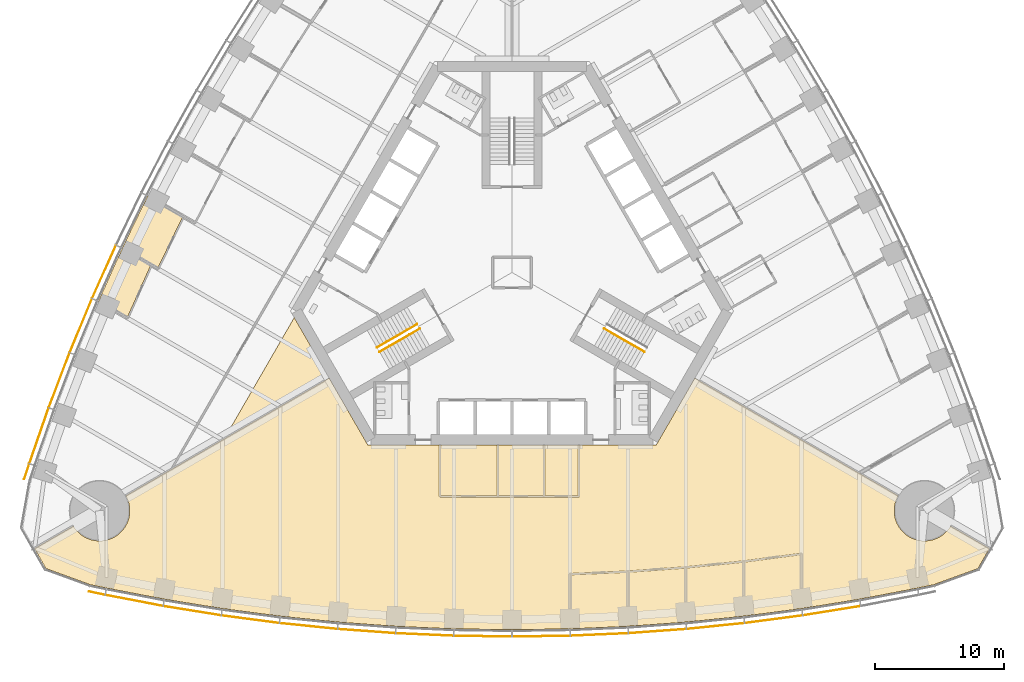
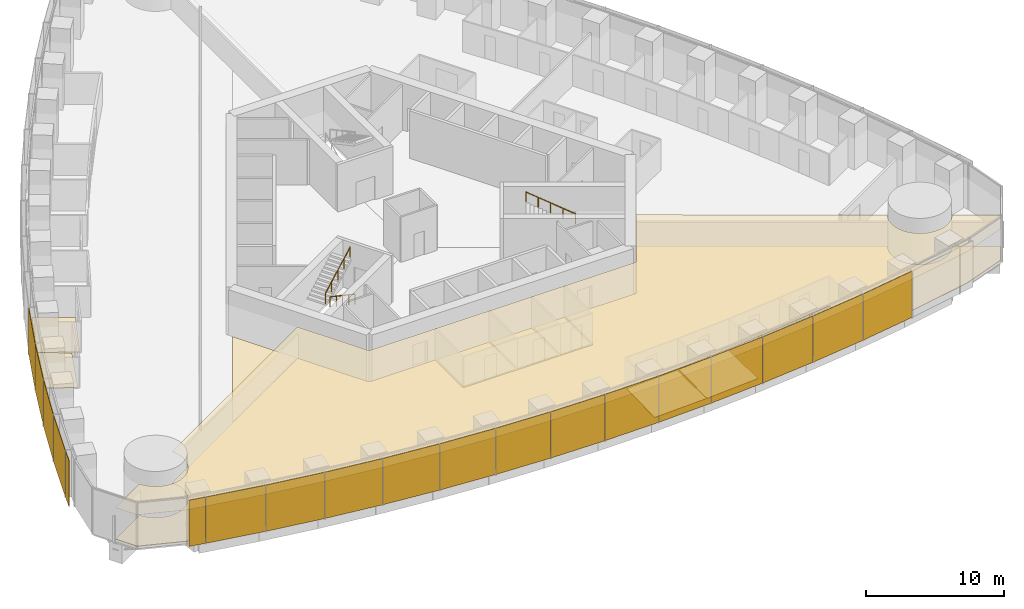
# One storey, part 14 of 18: 19 shading devices, 12 coverings, 3 railings.
"""IFC4 building model written with IfcOpenShell, lengths in metres."""

from ifc_helpers import new_model, si_unit, direction, frame, origin, origin_2d, place, context, subcontext, project, spatial, polyline, rectangle, circle, outline, extrude, material, layer, layer_set, type_object, element, save


model = new_model("IFC4")

# Units and contexts
model_context = context("Model", 3, precision=1e-05, world=origin(), true_north=direction((0.0, 1.0)))
body_context = subcontext(model_context, "Body", "Model", "MODEL_VIEW")
ifc_project = project(units=[si_unit("LENGTHUNIT", "METRE"), si_unit("AREAUNIT", "SQUARE_METRE"), si_unit("VOLUMEUNIT", "CUBIC_METRE"), si_unit("PLANEANGLEUNIT", "RADIAN"), si_unit("MASSUNIT", "GRAM", prefix="KILO")], contexts=[model_context])

# Site, building, storey
site_placement = place(None, origin())
site = spatial("IfcSite", under=ifc_project, at=site_placement, CompositionType="ELEMENT")
building_placement = place(site_placement, origin())
building = spatial("IfcBuilding", under=site, at=building_placement, Name="Trefoil Bronze Tower", CompositionType="ELEMENT")
storey_placement = place(building_placement, frame((0.0, 0.0, 50.10009765625)))
storey = spatial("IfcBuildingStorey", under=building, at=storey_placement, Name="L11", CompositionType="ELEMENT", Elevation=50.10009765625)

# Shading devices
ifc_material_1 = material(Name="Perforated bronze sheet", Category="bronze")
ifc_layer_1 = layer(ifc_material_1, 0.0400390625)
ifc_layer_set_1 = layer_set([ifc_layer_1], Name="Bronze solar screen panel")
shading_device_type = type_object("IfcShadingDeviceType", Name="Bronze solar screen panel", PredefinedType="SHUTTER", material=ifc_layer_set_1)
shading_device_1_placement = place(storey_placement, frame((-32.2431640625, -24.91064453125, 0.0498046875), z_axis=(0.0, 0.0, 1.0), x_axis=(0.978302717041, -0.207180582657, 0.0)))
element("IfcShadingDevice", 1, at=shading_device_1_placement, inside=storey, type_object=shading_device_type, Name="Solar screen CW-A L11 F1 bay 1", PredefinedType="SHUTTER", context=body_context, shape_type="SweptSolid", body=[
    extrude(rectangle(XDim=1.260498046875, YDim=0.0400390625, at=origin_2d()), origin(), (0.0, 0.0, 1.0), 4.10009765625),
])
shading_device_2_placement = place(storey_placement, frame((-29.351806640625, -25.478515625, 0.0498046875), z_axis=(0.0, 0.0, 1.0), x_axis=(0.982049823817, -0.188621694249, 0.0)))
element("IfcShadingDevice", 2, at=shading_device_2_placement, inside=storey, type_object=shading_device_type, Name="Solar screen CW-A L11 F1 bay 2", PredefinedType="SHUTTER", context=body_context, shape_type="SweptSolid", body=[
    extrude(rectangle(XDim=4.55224609375, YDim=0.0400390625, at=origin_2d()), origin(), (0.0, 0.0, 1.0), 4.10009765625),
])
shading_device_3_placement = place(storey_placement, frame((-24.836181640625, -26.277099609375, 0.0498046875), z_axis=(0.0, 0.0, 1.0), x_axis=(0.987181315145, -0.159602791421, 0.0)))
element("IfcShadingDevice", 3, at=shading_device_3_placement, inside=storey, type_object=shading_device_type, Name="Solar screen CW-A L11 F1 bay 3", PredefinedType="SHUTTER", context=body_context, shape_type="SweptSolid", body=[
    extrude(rectangle(XDim=4.5283203125, YDim=0.0400390625, at=origin_2d()), origin(), (0.0, 0.0, 1.0), 4.10009765625),
])
shading_device_4_placement = place(storey_placement, frame((-20.320556640625, -26.939697265625, 0.0498046875), z_axis=(0.0, 0.0, 1.0), x_axis=(0.991437251591, -0.130583981243, 0.0)))
element("IfcShadingDevice", 4, at=shading_device_4_placement, inside=storey, type_object=shading_device_type, Name="Solar screen CW-A L11 F1 bay 4", PredefinedType="SHUTTER", context=body_context, shape_type="SweptSolid", body=[
    extrude(rectangle(XDim=4.5087890625, YDim=0.0400390625, at=origin_2d()), origin(), (0.0, 0.0, 1.0), 4.10009765625),
])
shading_device_5_placement = place(storey_placement, frame((-15.804931640625, -27.467529296875, 0.0498046875), z_axis=(0.0, 0.0, 1.0), x_axis=(0.994828880293, -0.101565244717, 0.0)))
element("IfcShadingDevice", 5, at=shading_device_5_placement, inside=storey, type_object=shading_device_type, Name="Solar screen CW-A L11 F1 bay 5", PredefinedType="SHUTTER", context=body_context, shape_type="SweptSolid", body=[
    extrude(rectangle(XDim=4.493408203125, YDim=0.0400390625, at=origin_2d()), origin(), (0.0, 0.0, 1.0), 4.10009765625),
])
shading_device_6_placement = place(storey_placement, frame((-11.2890625, -27.8623046875, 0.0498046875), z_axis=(0.0, 0.0, 1.0), x_axis=(0.99736502647, -0.072546564177, 0.0)))
element("IfcShadingDevice", 6, at=shading_device_6_placement, inside=storey, type_object=shading_device_type, Name="Solar screen CW-A L11 F1 bay 6", PredefinedType="SHUTTER", context=body_context, shape_type="SweptSolid", body=[
    extrude(rectangle(XDim=4.48193359375, YDim=0.0400390625, at=origin_2d()), origin(), (0.0, 0.0, 1.0), 4.10009765625),
])
shading_device_7_placement = place(storey_placement, frame((-6.7734375, -28.124755859375, 0.0498046875), z_axis=(0.0, 0.0, 1.0), x_axis=(0.999052210809, -0.043527922969, 0.0)))
element("IfcShadingDevice", 7, at=shading_device_7_placement, inside=storey, type_object=shading_device_type, Name="Solar screen CW-A L11 F1 bay 7", PredefinedType="SHUTTER", context=body_context, shape_type="SweptSolid", body=[
    extrude(rectangle(XDim=4.474365234375, YDim=0.0400390625, at=origin_2d()), origin(), (0.0, 0.0, 1.0), 4.10009765625),
])
for number, where, z_axis, x_axis, name in (
    (8, (-2.2578125, -28.256103515625, 0.0498046875), (0.0, 0.0, 1.0), (0.999894734493, -0.014509305083, 0.0), "Solar screen CW-A L11 F1 bay 8"),
    (9, (2.2578125, -28.256103515625, 0.0498046875), (0.0, 0.0, 1.0), (0.999894734493, 0.014509305083, 0.0), "Solar screen CW-A L11 F1 bay 9"),
):
    element("IfcShadingDevice", number, at=place(storey_placement, frame(where, z_axis=z_axis, x_axis=x_axis)), inside=storey, type_object=shading_device_type, Name=name, PredefinedType="SHUTTER", context=body_context, shape_type="SweptSolid", body=[
        extrude(rectangle(XDim=4.470458984375, YDim=0.0400390625, at=origin_2d()), origin(), (0.0, 0.0, 1.0), 4.10009765625),
    ])
shading_device_8_placement = place(storey_placement, frame((6.7734375, -28.124755859375, 0.0498046875), z_axis=(0.0, 0.0, 1.0), x_axis=(0.999052210809, 0.043527922969, 0.0)))
element("IfcShadingDevice", 10, at=shading_device_8_placement, inside=storey, type_object=shading_device_type, Name="Solar screen CW-A L11 F1 bay 10", PredefinedType="SHUTTER", context=body_context, shape_type="SweptSolid", body=[
    extrude(rectangle(XDim=4.474365234375, YDim=0.0400390625, at=origin_2d()), origin(), (0.0, 0.0, 1.0), 4.10009765625),
])
shading_device_9_placement = place(storey_placement, frame((11.2890625, -27.8623046875, 0.0498046875), z_axis=(0.0, 0.0, 1.0), x_axis=(0.99736502647, 0.072546564177, 0.0)))
element("IfcShadingDevice", 11, at=shading_device_9_placement, inside=storey, type_object=shading_device_type, Name="Solar screen CW-A L11 F1 bay 11", PredefinedType="SHUTTER", context=body_context, shape_type="SweptSolid", body=[
    extrude(rectangle(XDim=4.48193359375, YDim=0.0400390625, at=origin_2d()), origin(), (0.0, 0.0, 1.0), 4.10009765625),
])
shading_device_10_placement = place(storey_placement, frame((15.804931640625, -27.467529296875, 0.0498046875), z_axis=(0.0, 0.0, 1.0), x_axis=(0.994828880293, 0.101565244717, 0.0)))
element("IfcShadingDevice", 12, at=shading_device_10_placement, inside=storey, type_object=shading_device_type, Name="Solar screen CW-A L11 F1 bay 12", PredefinedType="SHUTTER", context=body_context, shape_type="SweptSolid", body=[
    extrude(rectangle(XDim=4.493408203125, YDim=0.0400390625, at=origin_2d()), origin(), (0.0, 0.0, 1.0), 4.10009765625),
])
shading_device_11_placement = place(storey_placement, frame((20.320556640625, -26.939697265625, 0.0498046875), z_axis=(0.0, 0.0, 1.0), x_axis=(0.991437251591, 0.130583981243, 0.0)))
element("IfcShadingDevice", 13, at=shading_device_11_placement, inside=storey, type_object=shading_device_type, Name="Solar screen CW-A L11 F1 bay 13", PredefinedType="SHUTTER", context=body_context, shape_type="SweptSolid", body=[
    extrude(rectangle(XDim=4.5087890625, YDim=0.0400390625, at=origin_2d()), origin(), (0.0, 0.0, 1.0), 4.10009765625),
])
shading_device_12_placement = place(storey_placement, frame((24.836181640625, -26.277099609375, 0.0498046875), z_axis=(0.0, 0.0, 1.0), x_axis=(0.987181315145, 0.159602791421, 0.0)))
element("IfcShadingDevice", 14, at=shading_device_12_placement, inside=storey, type_object=shading_device_type, Name="Solar screen CW-A L11 F1 bay 14", PredefinedType="SHUTTER", context=body_context, shape_type="SweptSolid", body=[
    extrude(rectangle(XDim=4.5283203125, YDim=0.0400390625, at=origin_2d()), origin(), (0.0, 0.0, 1.0), 4.10009765625),
])
shading_device_13_placement = place(storey_placement, frame((-31.68994140625, 0.04638671875, 0.0498046875), z_axis=(0.0, 0.0, 1.0), x_axis=(-0.40945635808, -0.912329705111, 0.0)))
element("IfcShadingDevice", 15, at=shading_device_13_placement, inside=storey, type_object=shading_device_type, Name="Solar screen CW-A L11 F3 bay 12", PredefinedType="SHUTTER", context=body_context, shape_type="SweptSolid", body=[
    extrude(rectangle(XDim=4.493408203125, YDim=0.0400390625, at=origin_2d()), origin(), (0.0, 0.0, 1.0), 4.10009765625),
])
shading_device_14_placement = place(storey_placement, frame((-33.49072265625, -4.128173828125, 0.0498046875), z_axis=(0.0, 0.0, 1.0), x_axis=(-0.382629580712, -0.923901836758, 0.0)))
element("IfcShadingDevice", 16, at=shading_device_14_placement, inside=storey, type_object=shading_device_type, Name="Solar screen CW-A L11 F3 bay 13", PredefinedType="SHUTTER", context=body_context, shape_type="SweptSolid", body=[
    extrude(rectangle(XDim=4.5087890625, YDim=0.0400390625, at=origin_2d()), origin(), (0.0, 0.0, 1.0), 4.10009765625),
])
shading_device_15_placement = place(storey_placement, frame((-35.1748046875, -8.3701171875, 0.0498046875), z_axis=(0.0, 0.0, 1.0), x_axis=(-0.355370585687, -0.934725492767, 0.0)))
element("IfcShadingDevice", 17, at=shading_device_15_placement, inside=storey, type_object=shading_device_type, Name="Solar screen CW-A L11 F3 bay 14", PredefinedType="SHUTTER", context=body_context, shape_type="SweptSolid", body=[
    extrude(rectangle(XDim=4.5283203125, YDim=0.0400390625, at=origin_2d()), origin(), (0.0, 0.0, 1.0), 4.10009765625),
])
shading_device_16_placement = place(storey_placement, frame((-36.740966796875, -12.68017578125, 0.0498046875), z_axis=(0.0, 0.0, 1.0), x_axis=(-0.327673732984, -0.944790942332, 0.0)))
element("IfcShadingDevice", 18, at=shading_device_16_placement, inside=storey, type_object=shading_device_type, Name="Solar screen CW-A L11 F3 bay 15", PredefinedType="SHUTTER", context=body_context, shape_type="SweptSolid", body=[
    extrude(rectangle(XDim=4.55224609375, YDim=0.0400390625, at=origin_2d()), origin(), (0.0, 0.0, 1.0), 4.10009765625),
])
shading_device_17_placement = place(storey_placement, frame((-37.69482421875, -15.468017578125, 0.0498046875), z_axis=(0.0, 0.0, 1.0), x_axis=(-0.309727710769, -0.950825296877, 0.0)))
element("IfcShadingDevice", 19, at=shading_device_17_placement, inside=storey, type_object=shading_device_type, Name="Solar screen CW-A L11 F3 bay 16", PredefinedType="SHUTTER", context=body_context, shape_type="SweptSolid", body=[
    extrude(rectangle(XDim=1.260498046875, YDim=0.0400390625, at=origin_2d()), origin(), (0.0, 0.0, 1.0), 4.10009765625),
])

# Railings
ifc_material_2 = material(Name="Steel handrail", Category="steel")
railing_type = type_object("IfcRailingType", Name="Handrail 900", PredefinedType="HANDRAIL", material=ifc_material_2)
railing_1_placement = place(storey_placement, frame((10.28369140625, -6.168212890625, 2.261474609375)))
element("IfcRailing", 20, at=railing_1_placement, inside=storey, type_object=railing_type, Name="Handrail ST1 flight 2 L11", PredefinedType="HANDRAIL", context=body_context, shape_type="SweptSolid", body=[
    extrude(circle(Radius=0.02392578125, at=origin_2d()), frame((0.0, 0.0, 0.8759765625), z_axis=(-0.76250339821, 0.440245697338, 0.474101564745), x_axis=(-0.500012057535, -0.866018442252, 0.0)), (0.0, 0.0, 1.0), 4.088623046875),
    extrude(circle(Radius=0.02099609375, at=origin_2d()), origin(), (0.0, 0.0, 1.0), 0.851806640625),
    extrude(circle(Radius=0.02099609375, at=origin_2d()), frame((-0.779296875, 0.449951171875, 0.484619140625)), (0.0, 0.0, 1.0), 0.851806640625),
    extrude(circle(Radius=0.02099609375, at=origin_2d()), frame((-1.558837890625, 0.89990234375, 0.96923828125)), (0.0, 0.0, 1.0), 0.851806640625),
    extrude(circle(Radius=0.02099609375, at=origin_2d()), frame((-2.33837890625, 1.35009765625, 1.453857421875)), (0.0, 0.0, 1.0), 0.851806640625),
    extrude(circle(Radius=0.02099609375, at=origin_2d()), frame((-3.11767578125, 1.800048828125, 1.9384765625)), (0.0, 0.0, 1.0), 0.851806640625),
])
railing_2_placement = place(storey_placement, frame((-7.166015625, -4.3681640625, 0.161376953125)))
element("IfcRailing", 21, at=railing_2_placement, inside=storey, type_object=railing_type, Name="Handrail ST3 flight 1 L11", PredefinedType="HANDRAIL", context=body_context, shape_type="SweptSolid", body=[
    extrude(circle(Radius=0.02392578125, at=origin_2d()), frame((0.0, 0.0, 0.8759765625), z_axis=(-0.76250339821, -0.440245697338, 0.474101564745), x_axis=(0.500012057535, -0.866018442252, 0.0)), (0.0, 0.0, 1.0), 4.088623046875),
    extrude(circle(Radius=0.02099609375, at=origin_2d()), origin(), (0.0, 0.0, 1.0), 0.851806640625),
    extrude(circle(Radius=0.02099609375, at=origin_2d()), frame((-0.779296875, -0.449951171875, 0.484619140625)), (0.0, 0.0, 1.0), 0.851806640625),
    extrude(circle(Radius=0.02099609375, at=origin_2d()), frame((-1.558837890625, -0.89990234375, 0.96923828125)), (0.0, 0.0, 1.0), 0.851806640625),
    extrude(circle(Radius=0.02099609375, at=origin_2d()), frame((-2.33837890625, -1.35009765625, 1.453857421875)), (0.0, 0.0, 1.0), 0.851806640625),
    extrude(circle(Radius=0.02099609375, at=origin_2d()), frame((-3.11767578125, -1.800048828125, 1.9384765625)), (0.0, 0.0, 1.0), 0.851806640625),
])
railing_3_placement = place(storey_placement, frame((-10.483642578125, -5.82177734375, 2.261474609375)))
element("IfcRailing", 22, at=railing_3_placement, inside=storey, type_object=railing_type, Name="Handrail ST3 flight 2 L11", PredefinedType="HANDRAIL", context=body_context, shape_type="SweptSolid", body=[
    extrude(circle(Radius=0.02392578125, at=origin_2d()), frame((0.0, 0.0, 0.8759765625), z_axis=(0.76250339821, 0.440245697338, 0.474101564745), x_axis=(-0.500012057535, 0.866018442252, 0.0)), (0.0, 0.0, 1.0), 4.088623046875),
    extrude(circle(Radius=0.02099609375, at=origin_2d()), origin(), (0.0, 0.0, 1.0), 0.851806640625),
    extrude(circle(Radius=0.02099609375, at=origin_2d()), frame((0.779296875, 0.449951171875, 0.484619140625)), (0.0, 0.0, 1.0), 0.851806640625),
    extrude(circle(Radius=0.02099609375, at=origin_2d()), frame((1.558837890625, 0.89990234375, 0.96923828125)), (0.0, 0.0, 1.0), 0.851806640625),
    extrude(circle(Radius=0.02099609375, at=origin_2d()), frame((2.33837890625, 1.35009765625, 1.453857421875)), (0.0, 0.0, 1.0), 0.851806640625),
    extrude(circle(Radius=0.02099609375, at=origin_2d()), frame((3.11767578125, 1.800048828125, 1.9384765625)), (0.0, 0.0, 1.0), 0.851806640625),
])

# Coverings
ifc_material_3 = material(Name="Acoustic ceiling panels", Category="mineral fibre")
ifc_layer_2 = layer(ifc_material_3, 0.02001953125)
ifc_layer_set_2 = layer_set([ifc_layer_2], Name="Office ceiling 20")
covering_type_1 = type_object("IfcCoveringType", Name="Office ceiling 20", PredefinedType="CEILING", material=ifc_layer_set_2)
covering_1_placement = place(storey_placement, frame((0.0, 0.0, 2.89990234375)))
element("IfcCovering", 23, at=covering_1_placement, inside=storey, type_object=covering_type_1, Name="Ceiling L11 Open-plan office F1", PredefinedType="CEILING", context=body_context, shape_type="SweptSolid", body=[
    extrude(outline(polyline([(-33.996826171875, -19.8056640625), (-33.930419921875, -19.89990234375), (-33.859619140625, -19.99072265625), (-33.7841796875, -20.078125), (-33.70458984375, -20.16162109375), (-33.62109375, -20.2412109375), (-33.53369140625, -20.316650390625), (-33.44287109375, -20.387451171875), (-33.348388671875, -20.4541015625), (-33.251220703125, -20.515625), (-33.150634765625, -20.572509765625), (-33.047607421875, -20.62451171875), (-32.942138671875, -20.671142578125), (-32.834716796875, -20.712646484375), (-32.72509765625, -20.748779296875), (-32.614013671875, -20.779541015625), (-32.50146484375, -20.8046875), (-32.3876953125, -20.82470703125), (-32.273193359375, -20.838623046875), (-32.158203125, -20.84716796875), (-32.04296875, -20.85009765625), (-31.927490234375, -20.84716796875), (-31.8125, -20.838623046875), (-31.697998046875, -20.82470703125), (-31.58447265625, -20.8046875), (-31.471923828125, -20.779541015625), (-31.36083984375, -20.748779296875), (-31.251220703125, -20.712646484375), (-31.1435546875, -20.671142578125), (-31.0380859375, -20.62451171875), (-30.935302734375, -20.572509765625), (-30.834716796875, -20.515625), (-30.7373046875, -20.4541015625), (-30.64306640625, -20.387451171875), (-30.552001953125, -20.316650390625), (-30.46484375, -20.2412109375), (-30.381103515625, -20.16162109375), (-30.3017578125, -20.078125), (-30.226318359375, -19.99072265625), (-30.155517578125, -19.89990234375), (-30.089111328125, -19.8056640625), (-30.02734375, -19.7080078125), (-29.970458984375, -19.60791015625), (-29.918701171875, -19.5048828125), (-29.871826171875, -19.3994140625), (-29.830322265625, -19.291748046875), (-29.794189453125, -19.18212890625), (-29.763427734375, -19.071044921875), (-29.738037109375, -18.95849609375), (-29.718505859375, -18.8447265625), (-29.704345703125, -18.730224609375), (-29.69580078125, -18.615234375), (-29.69287109375, -18.5), (-29.69580078125, -18.384765625), (-29.704345703125, -18.269775390625), (-29.718505859375, -18.1552734375), (-29.738037109375, -18.04150390625), (-29.763427734375, -17.928955078125), (-29.794189453125, -17.81787109375), (-29.830322265625, -17.708251953125), (-29.871826171875, -17.6005859375), (-29.918701171875, -17.4951171875), (-29.970458984375, -17.39208984375), (-30.001953125, -17.336669921875), (-14.19970703125, -8.205322265625), (-11.20068359375, -13.39990234375), (11.20068359375, -13.39990234375), (14.19970703125, -8.205322265625), (30.001953125, -17.336669921875), (29.970458984375, -17.39208984375), (29.918701171875, -17.4951171875), (29.871826171875, -17.6005859375), (29.830322265625, -17.708251953125), (29.794189453125, -17.81787109375), (29.763427734375, -17.928955078125), (29.738037109375, -18.04150390625), (29.718505859375, -18.1552734375), (29.704345703125, -18.269775390625), (29.69580078125, -18.384765625), (29.69287109375, -18.5), (29.69580078125, -18.615234375), (29.704345703125, -18.730224609375), (29.718505859375, -18.8447265625), (29.738037109375, -18.95849609375), (29.763427734375, -19.071044921875), (29.794189453125, -19.18212890625), (29.830322265625, -19.291748046875), (29.871826171875, -19.3994140625), (29.918701171875, -19.5048828125), (29.970458984375, -19.60791015625), (30.02734375, -19.7080078125), (30.089111328125, -19.8056640625), (30.155517578125, -19.89990234375), (30.226318359375, -19.99072265625), (30.3017578125, -20.078125), (30.381103515625, -20.16162109375), (30.46484375, -20.2412109375), (30.552001953125, -20.316650390625), (30.64306640625, -20.387451171875), (30.7373046875, -20.4541015625), (30.834716796875, -20.515625), (30.935302734375, -20.572509765625), (31.0380859375, -20.62451171875), (31.1435546875, -20.671142578125), (31.251220703125, -20.712646484375), (31.36083984375, -20.748779296875), (31.471923828125, -20.779541015625), (31.58447265625, -20.8046875), (31.697998046875, -20.82470703125), (31.8125, -20.838623046875), (31.927490234375, -20.84716796875), (32.04296875, -20.85009765625), (32.158203125, -20.84716796875), (32.273193359375, -20.838623046875), (32.3876953125, -20.82470703125), (32.50146484375, -20.8046875), (32.614013671875, -20.779541015625), (32.72509765625, -20.748779296875), (32.834716796875, -20.712646484375), (32.942138671875, -20.671142578125), (33.047607421875, -20.62451171875), (33.150634765625, -20.572509765625), (33.251220703125, -20.515625), (33.348388671875, -20.4541015625), (33.44287109375, -20.387451171875), (33.53369140625, -20.316650390625), (33.62109375, -20.2412109375), (33.70458984375, -20.16162109375), (33.7841796875, -20.078125), (33.859619140625, -19.99072265625), (33.930419921875, -19.89990234375), (33.996826171875, -19.8056640625), (34.0703125, -19.6875), (37.094482421875, -21.43505859375), (36.190673828125, -23.0009765625), (32.762451171875, -24.248779296875), (31.5, -24.51611328125), (27.0, -25.38037109375), (22.5, -26.10791015625), (18.0, -26.70068359375), (13.5, -27.159912109375), (9.0, -27.4873046875), (4.5, -27.683349609375), (0.0, -27.748779296875), (-4.5, -27.683349609375), (-9.0, -27.4873046875), (-13.5, -27.159912109375), (-18.0, -26.70068359375), (-22.5, -26.10791015625), (-27.0, -25.38037109375), (-31.5, -24.51611328125), (-32.762451171875, -24.248779296875), (-36.190673828125, -23.0009765625), (-37.094482421875, -21.43505859375), (-34.0703125, -19.6875), (-33.996826171875, -19.8056640625)])), origin(), (0.0, 0.0, 1.0), 0.02001953125),
])
ifc_material_4 = material(Name="Raised access floor panels", Category="steel")
ifc_layer_3 = layer(ifc_material_4, 0.050048828125)
ifc_layer_set_3 = layer_set([ifc_layer_3], Name="Raised access floor 150")
covering_type_2 = type_object("IfcCoveringType", Name="Raised access floor 150", PredefinedType="FLOORING", material=ifc_layer_set_3)
covering_2_placement = place(storey_placement, frame((0.0, 0.0, 0.099853515625)))
element("IfcCovering", 24, at=covering_2_placement, inside=storey, type_object=covering_type_2, Name="Raised floor L11 Project room F1", PredefinedType="FLOORING", context=body_context, shape_type="SweptSolid", body=[
    extrude(outline(polyline([(-1.159912109375, -13.39990234375), (-1.159912109375, -17.340087890625), (-5.5400390625, -17.340087890625), (-5.5400390625, -13.39990234375), (-1.159912109375, -13.39990234375)])), origin(), (0.0, 0.0, 1.0), 0.050048828125),
])
covering_3_placement = place(storey_placement, frame((0.0, 0.0, 0.099853515625)))
element("IfcCovering", 25, at=covering_3_placement, inside=storey, type_object=covering_type_2, Name="Raised floor L11 Meeting room F1", PredefinedType="FLOORING", context=body_context, shape_type="SweptSolid", body=[
    extrude(outline(polyline([(2.43994140625, -13.39990234375), (2.43994140625, -17.340087890625), (-1.0400390625, -17.340087890625), (-1.0400390625, -13.39990234375), (2.43994140625, -13.39990234375)])), origin(), (0.0, 0.0, 1.0), 0.050048828125),
])
covering_4_placement = place(storey_placement, frame((0.0, 0.0, 0.099853515625)))
element("IfcCovering", 26, at=covering_4_placement, inside=storey, type_object=covering_type_2, Name="Raised floor L11 Pantry F1", PredefinedType="FLOORING", context=body_context, shape_type="SweptSolid", body=[
    extrude(outline(polyline([(5.139892578125, -13.39990234375), (5.139892578125, -17.340087890625), (2.56005859375, -17.340087890625), (2.56005859375, -13.39990234375), (5.139892578125, -13.39990234375)])), origin(), (0.0, 0.0, 1.0), 0.050048828125),
])
covering_5_placement = place(storey_placement, frame((0.0, 0.0, 0.099853515625)))
element("IfcCovering", 27, at=covering_5_placement, inside=storey, type_object=covering_type_2, Name="Raised floor L11 Office F1", PredefinedType="FLOORING", context=body_context, shape_type="SweptSolid", body=[
    extrude(outline(polyline([(9.0, -27.4873046875), (4.5, -27.683349609375), (4.5, -26.102783203125), (4.56005859375, -26.102783203125), (4.56005859375, -23.490966796875), (8.93994140625, -23.300048828125), (8.93994140625, -25.90478515625), (9.0, -25.90478515625), (9.0, -27.4873046875)])), origin(), (0.0, 0.0, 1.0), 0.050048828125),
])
covering_6_placement = place(storey_placement, frame((0.0, 0.0, 0.099853515625)))
element("IfcCovering", 28, at=covering_6_placement, inside=storey, type_object=covering_type_2, Name="Raised floor L11 Office F1", PredefinedType="FLOORING", context=body_context, shape_type="SweptSolid", body=[
    extrude(outline(polyline([(13.5, -27.159912109375), (9.0, -27.4873046875), (9.0, -25.90478515625), (9.06005859375, -25.90478515625), (9.06005859375, -23.293212890625), (13.43994140625, -22.974609375), (13.43994140625, -25.573974609375), (13.5, -25.573974609375), (13.5, -27.159912109375)])), origin(), (0.0, 0.0, 1.0), 0.050048828125),
])
covering_7_placement = place(storey_placement, frame((0.0, 0.0, 0.099853515625)))
element("IfcCovering", 29, at=covering_7_placement, inside=storey, type_object=covering_type_2, Name="Raised floor L11 Office F1", PredefinedType="FLOORING", context=body_context, shape_type="SweptSolid", body=[
    extrude(outline(polyline([(18.0, -26.70068359375), (13.5, -27.159912109375), (13.5, -25.573974609375), (13.56005859375, -25.573974609375), (13.56005859375, -22.964111328125), (17.93994140625, -22.51708984375), (17.93994140625, -25.10986328125), (18.0, -25.10986328125), (18.0, -26.70068359375)])), origin(), (0.0, 0.0, 1.0), 0.050048828125),
])
covering_8_placement = place(storey_placement, frame((0.0, 0.0, 0.099853515625)))
element("IfcCovering", 30, at=covering_8_placement, inside=storey, type_object=covering_type_2, Name="Raised floor L11 Office F1", PredefinedType="FLOORING", context=body_context, shape_type="SweptSolid", body=[
    extrude(outline(polyline([(22.5, -26.10791015625), (18.0, -26.70068359375), (18.0, -25.10986328125), (18.06005859375, -25.10986328125), (18.06005859375, -22.503173828125), (22.43994140625, -21.92626953125), (22.43994140625, -24.510986328125), (22.5, -24.510986328125), (22.5, -26.10791015625)])), origin(), (0.0, 0.0, 1.0), 0.050048828125),
])
covering_9_placement = place(storey_placement, frame((0.0, 0.0, 0.099853515625)))
element("IfcCovering", 31, at=covering_9_placement, inside=storey, type_object=covering_type_2, Name="Raised floor L11 Open-plan office F1", PredefinedType="FLOORING", context=body_context, shape_type="SweptSolid", body=[
    extrude(outline(polyline([(-11.20068359375, -13.39990234375), (-5.659912109375, -13.39990234375), (-5.659912109375, -17.39990234375), (-5.60009765625, -17.39990234375), (-5.60009765625, -17.4599609375), (5.199951171875, -17.4599609375), (5.199951171875, -17.39990234375), (5.260009765625, -17.39990234375), (5.260009765625, -13.39990234375), (11.20068359375, -13.39990234375), (14.19970703125, -8.205322265625), (30.001953125, -17.336669921875), (29.970458984375, -17.39208984375), (29.918701171875, -17.4951171875), (29.871826171875, -17.6005859375), (29.830322265625, -17.708251953125), (29.794189453125, -17.81787109375), (29.763427734375, -17.928955078125), (29.738037109375, -18.04150390625), (29.718505859375, -18.1552734375), (29.704345703125, -18.269775390625), (29.69580078125, -18.384765625), (29.69287109375, -18.5), (29.69580078125, -18.615234375), (29.704345703125, -18.730224609375), (29.718505859375, -18.8447265625), (29.738037109375, -18.95849609375), (29.763427734375, -19.071044921875), (29.794189453125, -19.18212890625), (29.830322265625, -19.291748046875), (29.871826171875, -19.3994140625), (29.918701171875, -19.5048828125), (29.970458984375, -19.60791015625), (30.02734375, -19.7080078125), (30.089111328125, -19.8056640625), (30.155517578125, -19.89990234375), (30.226318359375, -19.99072265625), (30.3017578125, -20.078125), (30.381103515625, -20.16162109375), (30.46484375, -20.2412109375), (30.552001953125, -20.316650390625), (30.64306640625, -20.387451171875), (30.7373046875, -20.4541015625), (30.834716796875, -20.515625), (30.935302734375, -20.572509765625), (31.0380859375, -20.62451171875), (31.1435546875, -20.671142578125), (31.251220703125, -20.712646484375), (31.36083984375, -20.748779296875), (31.471923828125, -20.779541015625), (31.58447265625, -20.8046875), (31.697998046875, -20.82470703125), (31.8125, -20.838623046875), (31.927490234375, -20.84716796875), (32.04296875, -20.85009765625), (32.158203125, -20.84716796875), (32.273193359375, -20.838623046875), (32.3876953125, -20.82470703125), (32.50146484375, -20.8046875), (32.614013671875, -20.779541015625), (32.72509765625, -20.748779296875), (32.834716796875, -20.712646484375), (32.942138671875, -20.671142578125), (33.047607421875, -20.62451171875), (33.150634765625, -20.572509765625), (33.251220703125, -20.515625), (33.348388671875, -20.4541015625), (33.44287109375, -20.387451171875), (33.53369140625, -20.316650390625), (33.62109375, -20.2412109375), (33.70458984375, -20.16162109375), (33.7841796875, -20.078125), (33.859619140625, -19.99072265625), (33.930419921875, -19.89990234375), (33.996826171875, -19.8056640625), (34.0703125, -19.6875), (37.094482421875, -21.43505859375), (36.190673828125, -23.0009765625), (32.762451171875, -24.248779296875), (31.5, -24.51611328125), (27.0, -25.38037109375), (22.5, -26.10791015625), (22.5, -24.510986328125), (22.56005859375, -24.510986328125), (22.56005859375, -21.85791015625), (22.5, -21.85791015625), (22.4921875, -21.79833984375), (17.992919921875, -22.39111328125), (13.494873046875, -22.850341796875), (8.99658203125, -23.177490234375), (4.497314453125, -23.37353515625), (4.5, -23.433349609375), (4.43994140625, -23.433349609375), (4.43994140625, -26.102783203125), (4.5, -26.102783203125), (4.5, -27.683349609375), (0.0, -27.748779296875), (-4.5, -27.683349609375), (-9.0, -27.4873046875), (-13.5, -27.159912109375), (-18.0, -26.70068359375), (-22.5, -26.10791015625), (-27.0, -25.38037109375), (-31.5, -24.51611328125), (-32.762451171875, -24.248779296875), (-36.190673828125, -23.0009765625), (-37.094482421875, -21.43505859375), (-34.0703125, -19.6875), (-33.996826171875, -19.8056640625), (-33.930419921875, -19.89990234375), (-33.859619140625, -19.99072265625), (-33.7841796875, -20.078125), (-33.70458984375, -20.16162109375), (-33.62109375, -20.2412109375), (-33.53369140625, -20.316650390625), (-33.44287109375, -20.387451171875), (-33.348388671875, -20.4541015625), (-33.251220703125, -20.515625), (-33.150634765625, -20.572509765625), (-33.047607421875, -20.62451171875), (-32.942138671875, -20.671142578125), (-32.834716796875, -20.712646484375), (-32.72509765625, -20.748779296875), (-32.614013671875, -20.779541015625), (-32.50146484375, -20.8046875), (-32.3876953125, -20.82470703125), (-32.273193359375, -20.838623046875), (-32.158203125, -20.84716796875), (-32.04296875, -20.85009765625), (-31.927490234375, -20.84716796875), (-31.8125, -20.838623046875), (-31.697998046875, -20.82470703125), (-31.58447265625, -20.8046875), (-31.471923828125, -20.779541015625), (-31.36083984375, -20.748779296875), (-31.251220703125, -20.712646484375), (-31.1435546875, -20.671142578125), (-31.0380859375, -20.62451171875), (-30.935302734375, -20.572509765625), (-30.834716796875, -20.515625), (-30.7373046875, -20.4541015625), (-30.64306640625, -20.387451171875), (-30.552001953125, -20.316650390625), (-30.46484375, -20.2412109375), (-30.381103515625, -20.16162109375), (-30.3017578125, -20.078125), (-30.226318359375, -19.99072265625), (-30.155517578125, -19.89990234375), (-30.089111328125, -19.8056640625), (-30.02734375, -19.7080078125), (-29.970458984375, -19.60791015625), (-29.918701171875, -19.5048828125), (-29.871826171875, -19.3994140625), (-29.830322265625, -19.291748046875), (-29.794189453125, -19.18212890625), (-29.763427734375, -19.071044921875), (-29.738037109375, -18.95849609375), (-29.718505859375, -18.8447265625), (-29.704345703125, -18.730224609375), (-29.69580078125, -18.615234375), (-29.69287109375, -18.5), (-29.69580078125, -18.384765625), (-29.704345703125, -18.269775390625), (-29.718505859375, -18.1552734375), (-29.738037109375, -18.04150390625), (-29.763427734375, -17.928955078125), (-29.794189453125, -17.81787109375), (-29.830322265625, -17.708251953125), (-29.871826171875, -17.6005859375), (-29.918701171875, -17.4951171875), (-29.970458984375, -17.39208984375), (-30.001953125, -17.336669921875), (-14.19970703125, -8.205322265625), (-11.20068359375, -13.39990234375)])), origin(), (0.0, 0.0, 1.0), 0.050048828125),
])
covering_10_placement = place(storey_placement, frame((0.0, 0.0, 0.099853515625)))
element("IfcCovering", 32, at=covering_10_placement, inside=storey, type_object=covering_type_2, Name="Raised floor L11 Pantry F3", PredefinedType="FLOORING", context=body_context, shape_type="SweptSolid", body=[
    extrude(outline(polyline([(-30.271240234375, 1.888671875), (-28.3046875, 5.949462890625), (-26.93408203125, 5.158203125), (-26.964111328125, 5.106201171875), (-25.585693359375, 4.310302734375), (-27.5, 0.35791015625), (-28.867919921875, 1.147705078125), (-28.897705078125, 1.095703125), (-30.271240234375, 1.888671875)])), origin(), (0.0, 0.0, 1.0), 0.050048828125),
])
covering_11_placement = place(storey_placement, frame((0.0, 0.0, 0.099853515625)))
element("IfcCovering", 33, at=covering_11_placement, inside=storey, type_object=covering_type_2, Name="Raised floor L11 Comms room F3", PredefinedType="FLOORING", context=body_context, shape_type="SweptSolid", body=[
    extrude(outline(polyline([(-30.271240234375, 1.888671875), (-28.897705078125, 1.095703125), (-28.927734375, 1.043701171875), (-28.066162109375, 0.54638671875), (-29.868896484375, -3.470458984375), (-30.7158203125, -2.9814453125), (-30.745849609375, -3.033447265625), (-32.123291015625, -2.23828125), (-30.271240234375, 1.888671875)])), origin(), (0.0, 0.0, 1.0), 0.050048828125),
])
covering_12_placement = place(storey_placement, frame((0.0, 0.0, 0.099853515625)))
element("IfcCovering", 34, at=covering_12_placement, inside=storey, type_object=covering_type_2, Name="Raised floor L11 Open-plan office F3", PredefinedType="FLOORING", context=body_context, shape_type="SweptSolid", body=[
    extrude(outline(polyline([(-14.205810546875, -8.194580078125), (-22.333740234375, -12.88330078125), (-16.91650390625, -3.5), (-14.205810546875, -8.194580078125)])), origin(), (0.0, 0.0, 1.0), 0.050048828125),
])

save(model, "model.ifc")
